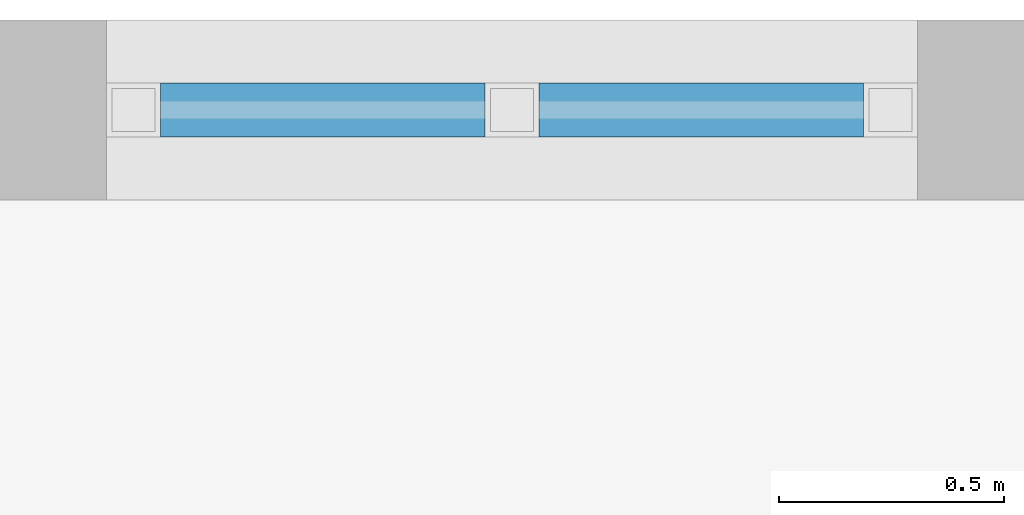
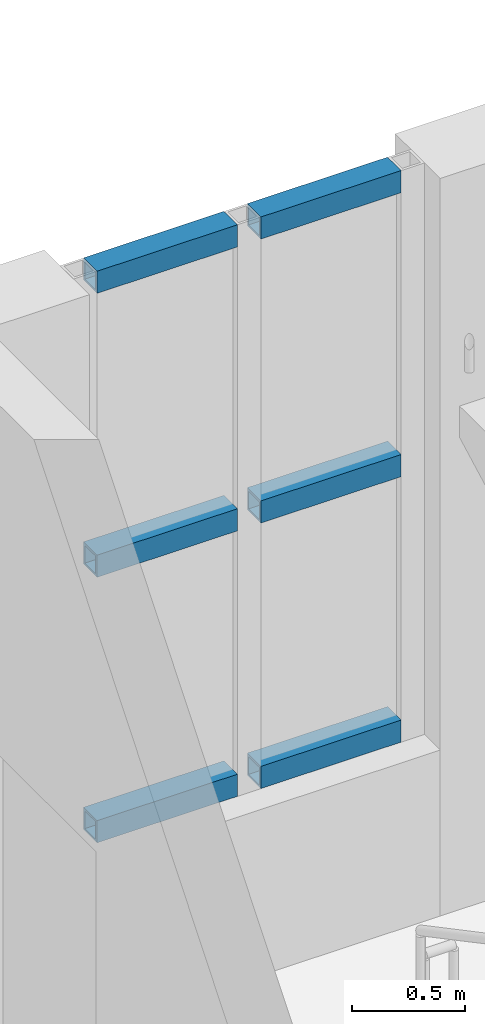
# One storey, part 79 of 154: 6 members, 1 element without a shape of its own.
"""IFC4 building model written with IfcOpenShell, lengths in metres."""

from ifc_helpers import new_model, si_unit, direction, frame, origin, origin_2d, place, context, subcontext, project, spatial, hollow_rectangle, extrude, material, material_profile, profile_set, type_object, element, aggregate, save


model = new_model("IFC4")

# Units and contexts
model_context = context("Model", 3, precision=1e-05, world=origin(), true_north=direction((0.0, 1.0)))
body_context = subcontext(model_context, "Body", "Model", "MODEL_VIEW")
ifc_project = project(units=[si_unit("LENGTHUNIT", "METRE"), si_unit("AREAUNIT", "SQUARE_METRE"), si_unit("VOLUMEUNIT", "CUBIC_METRE"), si_unit("PLANEANGLEUNIT", "RADIAN"), si_unit("MASSUNIT", "GRAM", prefix="KILO")], contexts=[model_context])

# Site, building, storey
site_placement = place(None, origin())
site = spatial("IfcSite", under=ifc_project, at=site_placement, CompositionType="ELEMENT")
building_placement = place(site_placement, origin())
building = spatial("IfcBuilding", under=site, at=building_placement, Name="Golden Quay Civic Hall", CompositionType="ELEMENT")
storey_placement = place(building_placement, frame((0.0, 0.0, 14.39990234375)))
storey = spatial("IfcBuildingStorey", under=building, at=storey_placement, Name="L03", CompositionType="ELEMENT", Elevation=14.39990234375)

# Curtain wall, members
ifc_material_1 = material(Name="Fire-resisting glass and steel", Category="steel")
curtain_wall_type = type_object("IfcCurtainWallType", Name="Fire-resisting glazed stair curtain wall EI 120", PredefinedType="NOTDEFINED", material=ifc_material_1)
curtain_wall_placement = place(storey_placement, origin())
curtain_wall = element("IfcCurtainWall", 1, at=curtain_wall_placement, inside=storey, type_object=curtain_wall_type, Name="CW4 stair curtain wall", PredefinedType="NOTDEFINED")
ifc_material_2 = material(Name="Steel S355", Category="steel")
ifc_material_profile = material_profile(ifc_material_2, hollow_rectangle(XDim=0.1201171875, YDim=0.1201171875, WallThickness=0.012451171875, at=origin_2d()), Name="SHS 120x120x12.5")
ifc_profile_set = profile_set([ifc_material_profile], Name="Steel S355")
member_type = type_object("IfcMemberType", Name="Fire-resisting steel stair transom 120 x 120", PredefinedType="USERDEFINED", material=ifc_profile_set)
member_1_placement = place(storey_placement, frame((66.844970703125, 108.0, 0.960205078125), z_axis=(1.0, 0.0, 0.0), x_axis=(0.0, 1.0, 0.0)))
member_1 = element("IfcMember", 2, at=member_1_placement, type_object=member_type, Name="CW4 transom 1.1", ObjectType="TRANSOM", PredefinedType="USERDEFINED", context=body_context, shape_type="SweptSolid", body=[
    extrude(hollow_rectangle(XDim=0.1201171875, YDim=0.1201171875, WallThickness=0.012451171875, at=origin_2d()), origin(), (0.0, 0.0, 1.0), 0.719970703125),
])
member_2_placement = place(storey_placement, frame((66.844970703125, 108.0, 2.400146484375), z_axis=(1.0, 0.0, 0.0), x_axis=(0.0, 1.0, 0.0)))
member_2 = element("IfcMember", 3, at=member_2_placement, type_object=member_type, Name="CW4 transom 1.2", ObjectType="TRANSOM", PredefinedType="USERDEFINED", context=body_context, shape_type="SweptSolid", body=[
    extrude(hollow_rectangle(XDim=0.1201171875, YDim=0.1201171875, WallThickness=0.012451171875, at=origin_2d()), origin(), (0.0, 0.0, 1.0), 0.719970703125),
])
member_3_placement = place(storey_placement, frame((66.844970703125, 108.0, 3.940185546875), z_axis=(1.0, 0.0, 0.0), x_axis=(0.0, 1.0, 0.0)))
member_3 = element("IfcMember", 4, at=member_3_placement, type_object=member_type, Name="CW4 transom 1.3", ObjectType="TRANSOM", PredefinedType="USERDEFINED", context=body_context, shape_type="SweptSolid", body=[
    extrude(hollow_rectangle(XDim=0.1201171875, YDim=0.1201171875, WallThickness=0.012451171875, at=origin_2d()), origin(), (0.0, 0.0, 1.0), 0.719970703125),
])
member_4_placement = place(storey_placement, frame((67.68505859375, 108.0, 0.960205078125), z_axis=(1.0, 0.0, 0.0), x_axis=(0.0, 1.0, 0.0)))
member_4 = element("IfcMember", 5, at=member_4_placement, type_object=member_type, Name="CW4 transom 2.1", ObjectType="TRANSOM", PredefinedType="USERDEFINED", context=body_context, shape_type="SweptSolid", body=[
    extrude(hollow_rectangle(XDim=0.1201171875, YDim=0.1201171875, WallThickness=0.012451171875, at=origin_2d()), origin(), (0.0, 0.0, 1.0), 0.719970703125),
])
member_5_placement = place(storey_placement, frame((67.68505859375, 108.0, 2.400146484375), z_axis=(1.0, 0.0, 0.0), x_axis=(0.0, 1.0, 0.0)))
member_5 = element("IfcMember", 6, at=member_5_placement, type_object=member_type, Name="CW4 transom 2.2", ObjectType="TRANSOM", PredefinedType="USERDEFINED", context=body_context, shape_type="SweptSolid", body=[
    extrude(hollow_rectangle(XDim=0.1201171875, YDim=0.1201171875, WallThickness=0.012451171875, at=origin_2d()), origin(), (0.0, 0.0, 1.0), 0.719970703125),
])
member_6_placement = place(storey_placement, frame((67.68505859375, 108.0, 3.940185546875), z_axis=(1.0, 0.0, 0.0), x_axis=(0.0, 1.0, 0.0)))
member_6 = element("IfcMember", 7, at=member_6_placement, type_object=member_type, Name="CW4 transom 2.3", ObjectType="TRANSOM", PredefinedType="USERDEFINED", context=body_context, shape_type="SweptSolid", body=[
    extrude(hollow_rectangle(XDim=0.1201171875, YDim=0.1201171875, WallThickness=0.012451171875, at=origin_2d()), origin(), (0.0, 0.0, 1.0), 0.719970703125),
])
aggregate(curtain_wall, [member_1, member_2, member_3, member_4, member_5, member_6])

save(model, "model.ifc")
